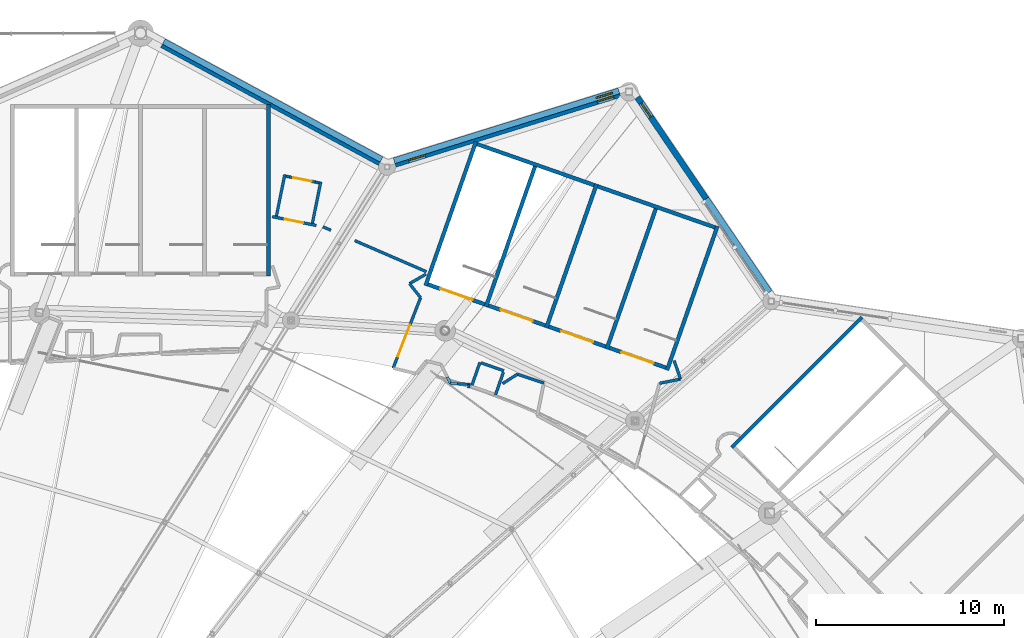
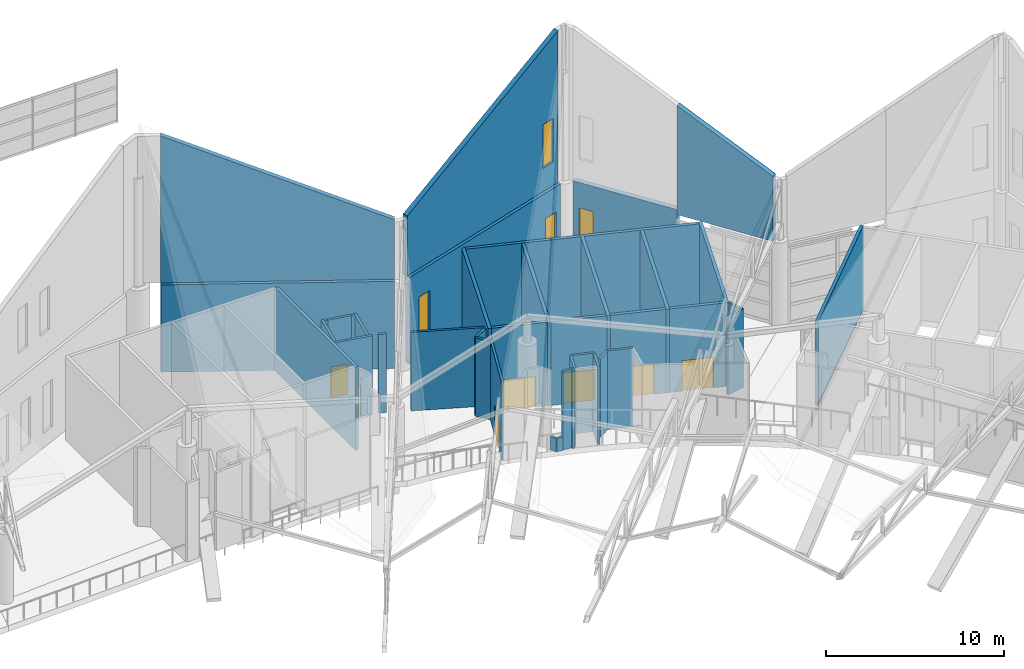
# One storey, part 274 of 344: 41 walls, 7 doors, 4 windows, 11 openings.
"""IFC4 building model written with IfcOpenShell, lengths in metres."""

from ifc_helpers import new_model, si_unit, direction, frame, frame_2d, origin, place, context, subcontext, project, spatial, polyline, rectangle, outline, extrude, material, layer, layer_set, type_object, element, fill, save


model = new_model("IFC4")

# Units and contexts
model_context = context("Model", 3, precision=1e-05, world=origin(), true_north=direction((0.0, 1.0)))
body_context = subcontext(model_context, "Body", "Model", "MODEL_VIEW")
ifc_project = project(units=[si_unit("LENGTHUNIT", "METRE"), si_unit("AREAUNIT", "SQUARE_METRE"), si_unit("VOLUMEUNIT", "CUBIC_METRE"), si_unit("PLANEANGLEUNIT", "RADIAN"), si_unit("MASSUNIT", "GRAM", prefix="KILO")], contexts=[model_context])

# Site, building, storey
site_placement = place(None, origin())
site = spatial("IfcSite", under=ifc_project, at=site_placement, CompositionType="ELEMENT")
building_placement = place(site_placement, origin())
building = spatial("IfcBuilding", under=site, at=building_placement, Name="Meseta Stadium", CompositionType="ELEMENT")
storey_placement = place(building_placement, frame((0.0, 0.0, 24.0)))
storey = spatial("IfcBuildingStorey", under=building, at=storey_placement, Name="L04", CompositionType="ELEMENT", Elevation=24.0)

# Walls
ifc_material_1 = material(Name="Concrete C40/50", Category="concrete")
ifc_layer_1 = layer(ifc_material_1, 0.199951171875)
ifc_layer_set_1 = layer_set([ifc_layer_1], Name="Core divider wall 200")
wall_type_1 = type_object("IfcWallType", Name="Core divider wall 200", PredefinedType="SHEAR", material=ifc_layer_set_1)
for number, where, z_axis, x_axis, name in (
    (1, (65.789306640625, 96.260009765625, 0.0), (0.0, 0.0, 1.0), (-0.330280610426, -0.943882788474, 0.0), "Core 08 L04 stair A divider wall"),
    (2, (59.370849609375, 98.505859375, 0.0), (0.0, 0.0, 1.0), (-0.330280610426, -0.943882788474, 0.0), "Core 08 L04 stair B divider wall"),
):
    element("IfcWall", number, at=place(storey_placement, frame(where, z_axis=z_axis, x_axis=x_axis)), inside=storey, type_object=wall_type_1, Name=name, PredefinedType="SHEAR", context=body_context, shape_type="SweptSolid", body=[
        extrude(rectangle(XDim=8.10009765625, YDim=0.199951171875, at=frame_2d((4.050048828125, 0.0))), origin(), (0.0, 0.0, 1.0), 5.75),
    ])
ifc_material_2 = material(Name="Concrete C40/50", Category="concrete")
ifc_layer_2 = layer(ifc_material_2, 0.199951171875)
ifc_layer_set_2 = layer_set([ifc_layer_2], Name="Core shaft wall 200")
wall_type_2 = type_object("IfcWallType", Name="Core shaft wall 200", PredefinedType="SHEAR", material=ifc_layer_set_2)
wall_1_placement = place(storey_placement, frame((76.6884765625, 90.30517578125, 0.0), z_axis=(0.0, 0.0, 1.0), x_axis=(-0.707106781187, -0.707106781187, 0.0)))
element("IfcWall", 3, at=wall_1_placement, inside=storey, type_object=wall_type_2, Name="Core 07 L04 stair wall B-side", PredefinedType="SHEAR", context=body_context, shape_type="SweptSolid", body=[
    extrude(rectangle(XDim=9.800048828125, YDim=0.199951171875, at=frame_2d((4.89990234375, 0.0))), origin(), (0.0, 0.0, 1.0), 5.75),
])
for number, where, z_axis, x_axis, name in (
    (4, (68.998291015625, 95.136962890625, 0.0), (0.0, 0.0, 1.0), (-0.330263153216, -0.943888896866, 0.0), "Core 08 L04 stair wall A-side"),
    (5, (62.580078125, 97.3828125, 0.0), (0.0, 0.0, 1.0), (-0.330290006891, -0.943879500438, 0.0), "Core 08 L04 stair wall shared"),
):
    element("IfcWall", number, at=place(storey_placement, frame(where, z_axis=z_axis, x_axis=x_axis)), inside=storey, type_object=wall_type_2, Name=name, PredefinedType="SHEAR", context=body_context, shape_type="SweptSolid", body=[
        extrude(rectangle(XDim=8.099853515625, YDim=0.199951171875, at=frame_2d((4.0498046875, 0.0))), origin(), (0.0, 0.0, 1.0), 5.75),
    ])
wall_2_placement = place(storey_placement, frame((56.16162109375, 99.62890625, 0.0), z_axis=(0.0, 0.0, 1.0), x_axis=(-0.330280610426, -0.943882788474, 0.0)))
element("IfcWall", 6, at=wall_2_placement, inside=storey, type_object=wall_type_2, Name="Core 08 L04 stair wall B-side", PredefinedType="SHEAR", context=body_context, shape_type="SweptSolid", body=[
    extrude(rectangle(XDim=8.10009765625, YDim=0.199951171875, at=frame_2d((4.050048828125, 0.0))), origin(), (0.0, 0.0, 1.0), 5.75),
])
for number, where, z_axis, x_axis, name in (
    (7, (68.87109375, 95.07568359375, 0.0), (0.0, 0.0, 1.0), (-0.943880844925, 0.330286164688, 0.0), "Core 08 L04 stair A outer end wall"),
    (8, (62.45263671875, 97.321533203125, 0.0), (0.0, 0.0, 1.0), (-0.943880844925, 0.330286164688, 0.0), "Core 08 L04 stair B outer end wall"),
):
    element("IfcWall", number, at=place(storey_placement, frame(where, z_axis=z_axis, x_axis=x_axis)), inside=storey, type_object=wall_type_2, Name=name, PredefinedType="SHEAR", context=body_context, shape_type="SweptSolid", body=[
        extrude(rectangle(XDim=6.60009765625, YDim=0.199951171875, at=frame_2d((3.300048828125, 0.0))), origin(), (0.0, 0.0, 1.0), 5.75),
    ])

# Wall, opening, door
wall_3_placement = place(storey_placement, frame((66.26171875, 87.618896484375, 0.0), z_axis=(0.0, 0.0, 1.0), x_axis=(-0.943878576031, 0.330292648585, 0.0)))
wall_3 = element("IfcWall", 9, at=wall_3_placement, inside=storey, type_object=wall_type_2, Name="Core 08 L04 stair A1 inner end wall", PredefinedType="SHEAR", context=body_context, shape_type="SweptSolid", body=[
    extrude(rectangle(XDim=3.199951171875, YDim=0.199951171875, at=frame_2d((1.60009765625, 0.0))), origin(), (0.0, 0.0, 1.0), 5.75),
])
opening_1_placement = place(wall_3_placement, frame((0.699951171875, 0.0, 0.0)))
opening_1 = element("IfcOpeningElement", 10, at=opening_1_placement, cuts=wall_3, Name="Opening D1621", PredefinedType="OPENING", context=body_context, shape_type="SweptSolid", body=[
    extrude(rectangle(XDim=1.800048828125, YDim=2.10009765625, at=frame_2d((0.89990234375, 1.050048828125))), frame((0.0, 0.10986328125, 0.0), z_axis=(0.0, -1.0, 0.0), x_axis=(1.0, 0.0, 0.0)), (0.0, 0.0, 1.0), 0.219970703125),
])
ifc_material_3 = material(Name="Steel", Category="steel")
door_type_1 = type_object("IfcDoorType", Name="Stair door 1800x2100", OperationType="DOUBLE_DOOR_SINGLE_SWING", PredefinedType="DOOR", material=ifc_material_3)
door_1_placement = place(opening_1_placement, origin())
door_1 = element("IfcDoor", 11, at=door_1_placement, inside=storey, type_object=door_type_1, Name="Stair A1 door 08 L04", OperationType="DOUBLE_DOOR_SINGLE_SWING", OverallHeight=2.10009765625, OverallWidth=1.800048828125, PredefinedType="DOOR", context=body_context, shape_type="SweptSolid", body=[
    extrude(rectangle(XDim=1.800048828125, YDim=2.10009765625, at=frame_2d((0.89990234375, 1.050048828125))), frame((0.0, 0.02490234375, 0.0), z_axis=(0.0, -1.0, 0.0), x_axis=(1.0, 0.0, 0.0)), (0.0, 0.0, 1.0), 0.050048828125),
])
fill(opening_1, door_1)

wall_4_placement = place(storey_placement, frame((63.052490234375, 88.741943359375, 0.0), z_axis=(0.0, 0.0, 1.0), x_axis=(-0.943878576031, 0.330292648585, 0.0)))
wall_4 = element("IfcWall", 12, at=wall_4_placement, inside=storey, type_object=wall_type_2, Name="Core 08 L04 stair A2 inner end wall", PredefinedType="SHEAR", context=body_context, shape_type="SweptSolid", body=[
    extrude(rectangle(XDim=3.199951171875, YDim=0.199951171875, at=frame_2d((1.60009765625, 0.0))), origin(), (0.0, 0.0, 1.0), 5.75),
])
opening_2_placement = place(wall_4_placement, frame((0.699951171875, 0.0, 0.0)))
opening_2 = element("IfcOpeningElement", 13, at=opening_2_placement, cuts=wall_4, Name="Opening D1618", PredefinedType="OPENING", context=body_context, shape_type="SweptSolid", body=[
    extrude(rectangle(XDim=1.800048828125, YDim=2.10009765625, at=frame_2d((0.89990234375, 1.050048828125))), frame((0.0, 0.10986328125, 0.0), z_axis=(0.0, -1.0, 0.0), x_axis=(1.0, 0.0, 0.0)), (0.0, 0.0, 1.0), 0.219970703125),
])
door_2_placement = place(opening_2_placement, origin())
door_2 = element("IfcDoor", 14, at=door_2_placement, inside=storey, type_object=door_type_1, Name="Stair A2 door 08 L04", OperationType="DOUBLE_DOOR_SINGLE_SWING", OverallHeight=2.10009765625, OverallWidth=1.800048828125, PredefinedType="DOOR", context=body_context, shape_type="SweptSolid", body=[
    extrude(rectangle(XDim=1.800048828125, YDim=2.10009765625, at=frame_2d((0.89990234375, 1.050048828125))), frame((0.0, 0.02490234375, 0.0), z_axis=(0.0, -1.0, 0.0), x_axis=(1.0, 0.0, 0.0)), (0.0, 0.0, 1.0), 0.050048828125),
])
fill(opening_2, door_2)

wall_5_placement = place(storey_placement, frame((59.843505859375, 89.864990234375, 0.0), z_axis=(0.0, 0.0, 1.0), x_axis=(-0.943886898693, 0.330268863922, 0.0)))
wall_5 = element("IfcWall", 15, at=wall_5_placement, inside=storey, type_object=wall_type_2, Name="Core 08 L04 stair B1 inner end wall", PredefinedType="SHEAR", context=body_context, shape_type="SweptSolid", body=[
    extrude(rectangle(XDim=3.2001953125, YDim=0.199951171875, at=frame_2d((1.60009765625, 0.0))), origin(), (0.0, 0.0, 1.0), 5.75),
])
opening_3_placement = place(wall_5_placement, frame((0.699951171875, 0.0, 0.0)))
opening_3 = element("IfcOpeningElement", 16, at=opening_3_placement, cuts=wall_5, Name="Opening D1615", PredefinedType="OPENING", context=body_context, shape_type="SweptSolid", body=[
    extrude(rectangle(XDim=1.800048828125, YDim=2.10009765625, at=frame_2d((0.89990234375, 1.050048828125))), frame((0.0, 0.10986328125, 0.0), z_axis=(0.0, -1.0, 0.0), x_axis=(1.0, 0.0, 0.0)), (0.0, 0.0, 1.0), 0.219970703125),
])
door_3_placement = place(opening_3_placement, origin())
door_3 = element("IfcDoor", 17, at=door_3_placement, inside=storey, type_object=door_type_1, Name="Stair B1 door 08 L04", OperationType="DOUBLE_DOOR_SINGLE_SWING", OverallHeight=2.10009765625, OverallWidth=1.800048828125, PredefinedType="DOOR", context=body_context, shape_type="SweptSolid", body=[
    extrude(rectangle(XDim=1.800048828125, YDim=2.10009765625, at=frame_2d((0.89990234375, 1.050048828125))), frame((0.0, 0.02490234375, 0.0), z_axis=(0.0, -1.0, 0.0), x_axis=(1.0, 0.0, 0.0)), (0.0, 0.0, 1.0), 0.050048828125),
])
fill(opening_3, door_3)

wall_6_placement = place(storey_placement, frame((56.63427734375, 90.98779296875, 0.0), z_axis=(0.0, 0.0, 1.0), x_axis=(-0.943886898693, 0.330268863922, 0.0)))
wall_6 = element("IfcWall", 18, at=wall_6_placement, inside=storey, type_object=wall_type_2, Name="Core 08 L04 stair B2 inner end wall", PredefinedType="SHEAR", context=body_context, shape_type="SweptSolid", body=[
    extrude(rectangle(XDim=3.2001953125, YDim=0.199951171875, at=frame_2d((1.60009765625, 0.0))), origin(), (0.0, 0.0, 1.0), 5.75),
])
opening_4_placement = place(wall_6_placement, frame((0.699951171875, 0.0, 0.0)))
opening_4 = element("IfcOpeningElement", 19, at=opening_4_placement, cuts=wall_6, Name="Opening D1611", PredefinedType="OPENING", context=body_context, shape_type="SweptSolid", body=[
    extrude(rectangle(XDim=1.800048828125, YDim=2.10009765625, at=frame_2d((0.89990234375, 1.050048828125))), frame((0.0, 0.10986328125, 0.0), z_axis=(0.0, -1.0, 0.0), x_axis=(1.0, 0.0, 0.0)), (0.0, 0.0, 1.0), 0.219970703125),
])
door_4_placement = place(opening_4_placement, origin())
door_4 = element("IfcDoor", 20, at=door_4_placement, inside=storey, type_object=door_type_1, Name="Stair B2 door 08 L04", OperationType="DOUBLE_DOOR_SINGLE_SWING", OverallHeight=2.10009765625, OverallWidth=1.800048828125, PredefinedType="DOOR", context=body_context, shape_type="SweptSolid", body=[
    extrude(rectangle(XDim=1.800048828125, YDim=2.10009765625, at=frame_2d((0.89990234375, 1.050048828125))), frame((0.0, 0.02490234375, 0.0), z_axis=(0.0, -1.0, 0.0), x_axis=(1.0, 0.0, 0.0)), (0.0, 0.0, 1.0), 0.050048828125),
])
fill(opening_4, door_4)

# Walls
wall_7_placement = place(storey_placement, frame((45.13330078125, 101.60009765625, 0.0), z_axis=(0.0, 0.0, 1.0), x_axis=(0.0, -1.0, 0.0)))
element("IfcWall", 21, at=wall_7_placement, inside=storey, type_object=wall_type_2, Name="Core 09 L04 stair wall A-side", PredefinedType="SHEAR", context=body_context, shape_type="SweptSolid", body=[
    extrude(rectangle(XDim=9.10009765625, YDim=0.199951171875, at=frame_2d((4.550048828125, 0.0))), origin(), (0.0, 0.0, 1.0), 5.75),
])
ifc_material_4 = material(Name="Masonry blockwork", Category="masonry")
ifc_layer_3 = layer(ifc_material_4, 0.14990234375)
ifc_layer_set_3 = layer_set([ifc_layer_3], Name="Partition 150")
wall_type_3 = type_object("IfcWallType", Name="Partition 150", PredefinedType="PARTITIONING", material=ifc_layer_set_3)
wall_8_placement = place(storey_placement, frame((53.532470703125, 92.720703125, 0.0), z_axis=(0.0, 0.0, 1.0), x_axis=(-0.917464834383, 0.397816889625, 0.0)))
element("IfcWall", 22, at=wall_8_placement, inside=storey, type_object=wall_type_3, Name="Partition L04 L04-cell07-1-0", PredefinedType="PARTITIONING", context=body_context, shape_type="SweptSolid", body=[
    extrude(rectangle(XDim=4.154052734375, YDim=0.14990234375, at=frame_2d((2.0771484375, 0.0))), origin(), (0.0, 0.0, 1.0), 5.39990234375),
])
wall_9_placement = place(storey_placement, frame((48.45068359375, 94.924072265625, 0.0), z_axis=(0.0, 0.0, 1.0), x_axis=(-0.917523466951, 0.397681641007, 0.0)))
element("IfcWall", 23, at=wall_9_placement, inside=storey, type_object=wall_type_3, Name="Partition L04 L04-cell07-1-0", PredefinedType="PARTITIONING", context=body_context, shape_type="SweptSolid", body=[
    extrude(rectangle(XDim=0.461669921875, YDim=0.14990234375, at=frame_2d((0.23095703125, 0.0))), origin(), (0.0, 0.0, 1.0), 5.39990234375),
])

# Wall, opening, door
wall_10_placement = place(storey_placement, frame((47.675537109375, 95.178466796875, 0.0), z_axis=(0.0, 0.0, 1.0), x_axis=(-0.980379720277, 0.197118248949, 0.0)))
wall_10 = element("IfcWall", 24, at=wall_10_placement, inside=storey, type_object=wall_type_3, Name="Partition L04 L04-cell07-1-0", PredefinedType="PARTITIONING", context=body_context, shape_type="SweptSolid", body=[
    extrude(rectangle(XDim=2.38916015625, YDim=0.14990234375, at=frame_2d((1.194580078125, 0.0))), origin(), (0.0, 0.0, 1.0), 5.39990234375),
])
opening_5_placement = place(wall_10_placement, frame((0.699951171875, 0.0, 0.0)))
opening_5 = element("IfcOpeningElement", 25, at=opening_5_placement, cuts=wall_10, Name="Opening D1606", PredefinedType="OPENING", context=body_context, shape_type="SweptSolid", body=[
    extrude(rectangle(XDim=1.0, YDim=2.10009765625, at=frame_2d((0.5, 1.050048828125))), frame((0.0, 0.0849609375, 0.0), z_axis=(0.0, -1.0, 0.0), x_axis=(1.0, 0.0, 0.0)), (0.0, 0.0, 1.0), 0.169921875),
])
ifc_material_5 = material(Name="Steel", Category="steel")
door_type_2 = type_object("IfcDoorType", Name="Fire door 1000x2100 EI2 60", OperationType="NOTDEFINED", PredefinedType="DOOR", material=ifc_material_5)
door_5_placement = place(opening_5_placement, origin())
door_5 = element("IfcDoor", 26, at=door_5_placement, inside=storey, type_object=door_type_2, Name="Room door L04 L04-cell07-1-0", OperationType="SINGLE_SWING_RIGHT", OverallHeight=2.10009765625, OverallWidth=1.0, PredefinedType="DOOR", context=body_context, shape_type="SweptSolid", body=[
    extrude(rectangle(XDim=1.0, YDim=2.10009765625, at=frame_2d((0.5, 1.050048828125))), frame((0.0, 0.02490234375, 0.0), z_axis=(0.0, -1.0, 0.0), x_axis=(1.0, 0.0, 0.0)), (0.0, 0.0, 1.0), 0.050048828125),
])
fill(opening_5, door_5)

# Walls
for number, where, z_axis, x_axis, name in (
    (27, (57.6484375, 87.45263671875, 0.0), (0.0, 0.0, 1.0), (-0.943867312246, 0.330324835387, 0.0), "Pressurisation shaft wall L04 core 08"),
    (28, (56.374267578125, 87.898681640625, 0.0), (0.0, 0.0, 1.0), (-0.330324835387, -0.943867312246, 0.0), "Pressurisation shaft wall L04 core 08"),
):
    element("IfcWall", number, at=place(storey_placement, frame(where, z_axis=z_axis, x_axis=x_axis)), inside=storey, type_object=wall_type_3, Name=name, PredefinedType="PARTITIONING", context=body_context, shape_type="SweptSolid", body=[
        extrude(rectangle(XDim=1.27490234375, YDim=0.14990234375, at=frame_2d((0.637451171875, 0.0))), origin(), (0.0, 0.0, 1.0), 5.39990234375),
    ])
wall_11_placement = place(storey_placement, frame((57.20263671875, 86.178466796875, 0.0), z_axis=(0.0, 0.0, 1.0), x_axis=(0.330265141396, 0.943888201207, 0.0)))
element("IfcWall", 29, at=wall_11_placement, inside=storey, type_object=wall_type_3, Name="Pressurisation shaft wall L04 core 08", PredefinedType="PARTITIONING", context=body_context, shape_type="SweptSolid", body=[
    extrude(rectangle(XDim=1.275146484375, YDim=0.14990234375, at=frame_2d((0.6376953125, 0.0))), origin(), (0.0, 0.0, 1.0), 5.39990234375),
])
wall_12_placement = place(storey_placement, frame((55.7841796875, 86.7158203125, 0.0), z_axis=(0.0, 0.0, 1.0), x_axis=(0.0, -1.0, 0.0)))
element("IfcWall", 30, at=wall_12_placement, inside=storey, type_object=wall_type_3, Name="Stair vestibule wall L04 core 08", PredefinedType="PARTITIONING", context=body_context, shape_type="SweptSolid", body=[
    extrude(rectangle(XDim=0.17822265625, YDim=0.14990234375, at=frame_2d((0.089111328125, 0.0))), origin(), (0.0, 0.0, 1.0), 5.39990234375),
])
wall_13_placement = place(storey_placement, frame((57.578125, 86.769775390625, 0.0), z_axis=(0.0, 0.0, 1.0), x_axis=(0.843629242082, 0.53692616057, 0.0)))
element("IfcWall", 31, at=wall_13_placement, inside=storey, type_object=wall_type_3, Name="Stair vestibule wall L04 core 08", PredefinedType="PARTITIONING", context=body_context, shape_type="SweptSolid", body=[
    extrude(rectangle(XDim=0.935302734375, YDim=0.14990234375, at=frame_2d((0.4677734375, 0.0))), origin(), (0.0, 0.0, 1.0), 5.39990234375),
])
wall_14_placement = place(storey_placement, frame((58.3671875, 87.27197265625, 0.0), z_axis=(0.0, 0.0, 1.0), x_axis=(0.94869979015, -0.316178285417, 0.0)))
element("IfcWall", 32, at=wall_14_placement, inside=storey, type_object=wall_type_3, Name="Stair vestibule wall L04 core 08", PredefinedType="PARTITIONING", context=body_context, shape_type="SweptSolid", body=[
    extrude(rectangle(XDim=1.480224609375, YDim=0.14990234375, at=frame_2d((0.740234375, 0.0))), origin(), (0.0, 0.0, 1.0), 5.39990234375),
])
wall_15_placement = place(storey_placement, frame((65.919189453125, 86.788818359375, 0.0), z_axis=(0.0, 0.0, 1.0), x_axis=(0.980275107334, 0.197637835299, 0.0)))
element("IfcWall", 33, at=wall_15_placement, inside=storey, type_object=wall_type_3, Name="Stair vestibule wall L04 core 08", PredefinedType="PARTITIONING", context=body_context, shape_type="SweptSolid", body=[
    extrude(rectangle(XDim=1.141357421875, YDim=0.14990234375, at=frame_2d((0.57080078125, 0.0))), origin(), (0.0, 0.0, 1.0), 5.39990234375),
])
wall_16_placement = place(storey_placement, frame((67.0380859375, 87.014404296875, 0.0), z_axis=(0.0, 0.0, 1.0), x_axis=(-0.328920401707, 0.944357649061, 0.0)))
element("IfcWall", 34, at=wall_16_placement, inside=storey, type_object=wall_type_3, Name="Stair vestibule wall L04 core 08", PredefinedType="PARTITIONING", context=body_context, shape_type="SweptSolid", body=[
    extrude(rectangle(XDim=1.042236328125, YDim=0.14990234375, at=frame_2d((0.52099609375, 0.0))), origin(), (0.0, 0.0, 1.0), 5.39990234375),
])
wall_17_placement = place(storey_placement, frame((53.5068359375, 92.58935546875, 0.0), z_axis=(0.0, 0.0, 1.0), x_axis=(-0.866378587107, -0.499387768976, 0.0)))
element("IfcWall", 35, at=wall_17_placement, inside=storey, type_object=wall_type_3, Name="Stair vestibule wall L04 core 08", PredefinedType="PARTITIONING", context=body_context, shape_type="SweptSolid", body=[
    extrude(rectangle(XDim=1.010498046875, YDim=0.14990234375, at=frame_2d((0.50537109375, 0.0))), origin(), (0.0, 0.0, 1.0), 5.39990234375),
])
wall_18_placement = place(storey_placement, frame((52.63134765625, 92.084716796875, 0.0), z_axis=(0.0, 0.0, 1.0), x_axis=(0.621956526633, -0.78305177286, 0.0)))
element("IfcWall", 36, at=wall_18_placement, inside=storey, type_object=wall_type_3, Name="Stair vestibule wall L04 core 08", PredefinedType="PARTITIONING", context=body_context, shape_type="SweptSolid", body=[
    extrude(rectangle(XDim=0.947265625, YDim=0.14990234375, at=frame_2d((0.4736328125, 0.0))), origin(), (0.0, 0.0, 1.0), 5.39990234375),
])

# Wall, opening, door
wall_19_placement = place(storey_placement, frame((53.220458984375, 91.343017578125, 0.0), z_axis=(0.0, 0.0, 1.0), x_axis=(-0.362484224623, -0.93198990708, 0.0)))
wall_19 = element("IfcWall", 37, at=wall_19_placement, inside=storey, type_object=wall_type_3, Name="Stair vestibule wall L04 core 08", PredefinedType="PARTITIONING", context=body_context, shape_type="SweptSolid", body=[
    extrude(rectangle(XDim=4.034423828125, YDim=0.14990234375, at=frame_2d((2.01708984375, 0.0))), origin(), (0.0, 0.0, 1.0), 5.39990234375),
])
opening_6_placement = place(wall_19_placement, frame((1.550048828125, 0.0, 0.0)))
opening_6 = element("IfcOpeningElement", 38, at=opening_6_placement, cuts=wall_19, Name="Opening D1609", PredefinedType="OPENING", context=body_context, shape_type="SweptSolid", body=[
    extrude(rectangle(XDim=1.800048828125, YDim=2.10009765625, at=frame_2d((0.89990234375, 1.050048828125))), frame((0.0, 0.0849609375, 0.0), z_axis=(0.0, -1.0, 0.0), x_axis=(1.0, 0.0, 0.0)), (0.0, 0.0, 1.0), 0.169921875),
])
ifc_material_6 = material(Name="Steel", Category="steel")
door_type_3 = type_object("IfcDoorType", Name="Fire double door 1800x2100 EI2 60", OperationType="DOUBLE_DOOR_SINGLE_SWING", PredefinedType="DOOR", material=ifc_material_6)
door_6_placement = place(opening_6_placement, origin())
door_6 = element("IfcDoor", 39, at=door_6_placement, inside=storey, type_object=door_type_3, Name="Stair vestibule door L04 core 08", OperationType="DOUBLE_DOOR_SINGLE_SWING", OverallHeight=2.10009765625, OverallWidth=1.800048828125, PredefinedType="DOOR", context=body_context, shape_type="SweptSolid", body=[
    extrude(rectangle(XDim=1.800048828125, YDim=2.10009765625, at=frame_2d((0.89990234375, 1.050048828125))), frame((0.0, 0.02490234375, 0.0), z_axis=(0.0, -1.0, 0.0), x_axis=(1.0, 0.0, 0.0)), (0.0, 0.0, 1.0), 0.050048828125),
])
fill(opening_6, door_6)

# Walls
wall_20_placement = place(storey_placement, frame((54.643310546875, 87.117431640625, 0.0), z_axis=(0.0, 0.0, 1.0), x_axis=(0.448513161251, -0.893776227131, 0.0)))
element("IfcWall", 40, at=wall_20_placement, inside=storey, type_object=wall_type_3, Name="Stair vestibule wall L04 core 08", PredefinedType="PARTITIONING", context=body_context, shape_type="SweptSolid", body=[
    extrude(rectangle(XDim=0.37548828125, YDim=0.14990234375, at=frame_2d((0.187744140625, 0.0))), origin(), (0.0, 0.0, 1.0), 0.918212890625),
])
wall_21_placement = place(storey_placement, frame((54.811767578125, 86.78173828125, 0.0), z_axis=(0.0, 0.0, 1.0), x_axis=(0.9987506543, -0.049971297105, 0.0)))
element("IfcWall", 41, at=wall_21_placement, inside=storey, type_object=wall_type_3, Name="Stair vestibule wall L04 core 08", PredefinedType="PARTITIONING", context=body_context, shape_type="SweptSolid", body=[
    extrude(rectangle(XDim=0.361572265625, YDim=0.14990234375, at=frame_2d((0.1806640625, 0.0))), origin(), (0.0, 0.0, 1.0), 0.918212890625),
])
wall_22_placement = place(storey_placement, frame((55.1728515625, 86.763671875, 0.0), z_axis=(0.0, 0.0, 1.0), x_axis=(0.998772838371, -0.04952592587, 0.0)))
element("IfcWall", 42, at=wall_22_placement, inside=storey, type_object=wall_type_3, Name="Stair vestibule wall L04 core 08", PredefinedType="PARTITIONING", context=body_context, shape_type="SweptSolid", body=[
    extrude(rectangle(XDim=0.7099609375, YDim=0.14990234375, at=frame_2d((0.35498046875, 0.0))), origin(), (0.0, 0.0, 1.0), 5.39990234375),
])
for number, where, z_axis, x_axis, name in (
    (43, (47.4697265625, 95.29638671875, 0.0), (0.0, 0.0, 1.0), (0.197159372057, 0.980371451038, 0.0), "Partition L04 L04-cell07-1-0 vestibule"),
    (44, (45.55810546875, 95.6806640625, 0.0), (0.0, 0.0, 1.0), (0.197055078436, 0.980392419423, 0.0), "Partition L04 L04-cell07-1-0 vestibule"),
):
    element("IfcWall", number, at=place(storey_placement, frame(where, z_axis=z_axis, x_axis=x_axis)), inside=storey, type_object=wall_type_3, Name=name, PredefinedType="PARTITIONING", context=body_context, shape_type="SweptSolid", body=[
        extrude(rectangle(XDim=2.25, YDim=0.14990234375, at=frame_2d((1.125, 0.0))), origin(), (0.0, 0.0, 1.0), 5.39990234375),
    ])
wall_23_placement = place(storey_placement, frame((47.824951171875, 97.443359375, 0.0), z_axis=(0.0, 0.0, 1.0), x_axis=(-0.980250639168, 0.197759157591, 0.0)))
element("IfcWall", 45, at=wall_23_placement, inside=storey, type_object=wall_type_3, Name="Partition L04 L04-cell07-1-0 vestibule", PredefinedType="PARTITIONING", context=body_context, shape_type="SweptSolid", body=[
    extrude(rectangle(XDim=0.199951171875, YDim=0.14990234375, at=frame_2d((0.10009765625, 0.0))), origin(), (0.0, 0.0, 1.0), 5.39990234375),
])

# Wall, opening, door
wall_24_placement = place(storey_placement, frame((47.62890625, 97.48291015625, 0.0), z_axis=(0.0, 0.0, 1.0), x_axis=(-0.980392426881, 0.197055041333, 0.0)))
wall_24 = element("IfcWall", 46, at=wall_24_placement, inside=storey, type_object=wall_type_3, Name="Partition L04 L04-cell07-1-0 vestibule", PredefinedType="PARTITIONING", context=body_context, shape_type="SweptSolid", body=[
    extrude(rectangle(XDim=1.39990234375, YDim=0.14990234375, at=frame_2d((0.699951171875, 0.0))), origin(), (0.0, 0.0, 1.0), 5.39990234375),
])
opening_7_placement = place(wall_24_placement, frame((0.199951171875, 0.0, 0.0)))
opening_7 = element("IfcOpeningElement", 47, at=opening_7_placement, cuts=wall_24, Name="Opening D1607", PredefinedType="OPENING", context=body_context, shape_type="SweptSolid", body=[
    extrude(rectangle(XDim=1.0, YDim=2.10009765625, at=frame_2d((0.5, 1.050048828125))), frame((0.0, 0.0849609375, 0.0), z_axis=(0.0, -1.0, 0.0), x_axis=(1.0, 0.0, 0.0)), (0.0, 0.0, 1.0), 0.169921875),
])
door_7_placement = place(opening_7_placement, origin())
door_7 = element("IfcDoor", 48, at=door_7_placement, inside=storey, type_object=door_type_2, Name="Vestibule door L04 L04-cell07-1-0", OperationType="SINGLE_SWING_LEFT", OverallHeight=2.10009765625, OverallWidth=1.0, PredefinedType="DOOR", context=body_context, shape_type="SweptSolid", body=[
    extrude(rectangle(XDim=1.0, YDim=2.10009765625, at=frame_2d((0.5, 1.050048828125))), frame((0.0, 0.02490234375, 0.0), z_axis=(0.0, -1.0, 0.0), x_axis=(1.0, 0.0, 0.0)), (0.0, 0.0, 1.0), 0.050048828125),
])
fill(opening_7, door_7)

# Walls
wall_25_placement = place(storey_placement, frame((46.25634765625, 97.7587890625, 0.0), z_axis=(0.0, 0.0, 1.0), x_axis=(-0.980486637891, 0.196585739353, 0.0)))
element("IfcWall", 49, at=wall_25_placement, inside=storey, type_object=wall_type_3, Name="Partition L04 L04-cell07-1-0 vestibule", PredefinedType="PARTITIONING", context=body_context, shape_type="SweptSolid", body=[
    extrude(rectangle(XDim=0.199951171875, YDim=0.14990234375, at=frame_2d((0.10009765625, 0.0))), origin(), (0.0, 0.0, 1.0), 5.39990234375),
])
ifc_material_7 = material(Name="White precast concrete C40/50", Category="concrete")
ifc_layer_4 = layer(ifc_material_7, 0.320068359375)
ifc_layer_set_4 = layer_set([ifc_layer_4], Name="Pleated fascia panel 320 raked")
wall_type_4 = type_object("IfcWallType", Name="Pleated fascia panel 320 raked", PredefinedType="SOLIDWALL", material=ifc_layer_set_4)
wall_26_placement = place(storey_placement, frame((68.400634765625, 96.600341796875, 5.64990234375), z_axis=(0.0, 0.0, 1.0), x_axis=(0.561498433341, -0.827477799917, 0.0)))
element("IfcWall", 50, at=wall_26_placement, inside=storey, type_object=wall_type_4, Name="Pleated facade panel above atrium F13", PredefinedType="SOLIDWALL", context=body_context, shape_type="SweptSolid", body=[
    extrude(outline(polyline([(0.0, 0.0), (6.000244140625, 0.0), (6.0, 4.46728515625), (0.0, 7.497802734375), (0.0, 0.0)])), frame((0.0, 0.16015625, 0.0), z_axis=(0.0, -1.0, 0.0), x_axis=(1.0, 0.0, 0.0)), (0.0, 0.0, 1.0), 0.320068359375),
])

# Wall, opening, window
wall_27_placement = place(storey_placement, frame((51.811767578125, 98.618896484375, 6.0), z_axis=(0.0, 0.0, 1.0), x_axis=(0.954916036354, 0.29687600697, 0.0)))
wall_27 = element("IfcWall", 51, at=wall_27_placement, inside=storey, type_object=wall_type_4, Name="Pleated fascia panel L04 F14", PredefinedType="SOLIDWALL", context=body_context, shape_type="SweptSolid", body=[
    extrude(outline(polyline([(0.0, 0.0), (12.51318359375, 0.0), (12.51318359375, 10.4375), (0.0, 4.1171875), (0.0, 0.0)])), frame((0.0, 0.16015625, 0.0), z_axis=(0.0, -1.0, 0.0), x_axis=(1.0, 0.0, 0.0)), (0.0, 0.0, 1.0), 0.320068359375),
])
opening_8_placement = place(wall_27_placement, frame((11.250244140625, 0.0, 1.60009765625)))
opening_8 = element("IfcOpeningElement", 52, at=opening_8_placement, cuts=wall_27, Name="Opening W282", PredefinedType="OPENING", context=body_context, shape_type="SweptSolid", body=[
    extrude(rectangle(XDim=0.89990234375, YDim=3.0, at=frame_2d((0.449951171875, 1.5))), frame((0.0, 0.169921875, 0.0), z_axis=(0.0, -1.0, 0.0), x_axis=(1.0, 0.0, 0.0)), (0.0, 0.0, 1.0), 0.340087890625),
])
ifc_material_8 = material(Name="Aluminium", Category="aluminium")
window_type_1 = type_object("IfcWindowType", Name="Slot window 900x3000", PartitioningType="SINGLE_PANEL", PredefinedType="WINDOW", material=ifc_material_8)
window_1_placement = place(opening_8_placement, origin())
window_1 = element("IfcWindow", 53, at=window_1_placement, inside=storey, type_object=window_type_1, Name="Slot window L04 F14.6", OverallHeight=3.0, OverallWidth=0.89990234375, PartitioningType="SINGLE_PANEL", PredefinedType="WINDOW", context=body_context, shape_type="SweptSolid", body=[
    extrude(rectangle(XDim=0.89990234375, YDim=3.0, at=frame_2d((0.449951171875, 1.5))), frame((0.0, 0.030029296875, 0.0), z_axis=(0.0, -1.0, 0.0), x_axis=(1.0, 0.0, 0.0)), (0.0, 0.0, 1.0), 0.06005859375),
])
fill(opening_8, window_1)

# Wall
wall_28_placement = place(storey_placement, frame((39.5712890625, 104.95654296875, 6.0), z_axis=(0.0, 0.0, 1.0), x_axis=(0.879137513539, -0.476568182204, 0.0)))
element("IfcWall", 54, at=wall_28_placement, inside=storey, type_object=wall_type_4, Name="Pleated fascia panel L04 F15", PredefinedType="SOLIDWALL", context=body_context, shape_type="SweptSolid", body=[
    extrude(outline(polyline([(0.0, 0.0), (13.16064453125, 0.0), (13.16064453125, 4.09521484375), (0.0, 10.09716796875), (0.0, 0.0)])), frame((0.0, 0.16015625, 0.0), z_axis=(0.0, -1.0, 0.0), x_axis=(1.0, 0.0, 0.0)), (0.0, 0.0, 1.0), 0.320068359375),
])

# Wall, opening, window
ifc_material_9 = material(Name="White precast concrete C40/50", Category="concrete")
ifc_layer_5 = layer(ifc_material_9, 0.320068359375)
ifc_layer_set_5 = layer_set([ifc_layer_5], Name="Pleated panel wall 320")
wall_type_5 = type_object("IfcWallType", Name="Pleated panel wall 320", PredefinedType="SOLIDWALL", material=ifc_layer_set_5)
wall_29_placement = place(storey_placement, frame((64.74365234375, 101.98974609375, 0.0), z_axis=(0.0, 0.0, 1.0), x_axis=(0.561489501614, -0.827483860614, 0.0)))
wall_29 = element("IfcWall", 55, at=wall_29_placement, inside=storey, type_object=wall_type_5, Name="Pleated facade panel L04 F13", PredefinedType="SOLIDWALL", context=body_context, shape_type="SweptSolid", body=[
    extrude(rectangle(XDim=6.512939453125, YDim=0.320068359375, at=frame_2d((3.25634765625, 0.0))), origin(), (0.0, 0.0, 1.0), 6.0),
])
opening_9_placement = place(wall_29_placement, frame((0.363037109375, 0.0, 1.0)))
opening_9 = element("IfcOpeningElement", 56, at=opening_9_placement, cuts=wall_29, Name="Opening W285", PredefinedType="OPENING", context=body_context, shape_type="SweptSolid", body=[
    extrude(rectangle(XDim=0.89990234375, YDim=3.25, at=frame_2d((0.449951171875, 1.625))), frame((0.0, 0.169921875, 0.0), z_axis=(0.0, -1.0, 0.0), x_axis=(1.0, 0.0, 0.0)), (0.0, 0.0, 1.0), 0.340087890625),
])
ifc_material_10 = material(Name="Aluminium", Category="aluminium")
window_type_2 = type_object("IfcWindowType", Name="Slot window 900x3250", PartitioningType="SINGLE_PANEL", PredefinedType="WINDOW", material=ifc_material_10)
window_2_placement = place(opening_9_placement, origin())
window_2 = element("IfcWindow", 57, at=window_2_placement, inside=storey, type_object=window_type_2, Name="Slot window L04 F13.6", OverallHeight=3.25, OverallWidth=0.89990234375, PartitioningType="SINGLE_PANEL", PredefinedType="WINDOW", context=body_context, shape_type="SweptSolid", body=[
    extrude(rectangle(XDim=0.89990234375, YDim=3.25, at=frame_2d((0.449951171875, 1.625))), frame((0.0, 0.030029296875, 0.0), z_axis=(0.0, -1.0, 0.0), x_axis=(1.0, 0.0, 0.0)), (0.0, 0.0, 1.0), 0.06005859375),
])
fill(opening_9, window_2)

# Wall, openings, windows
wall_30_placement = place(storey_placement, frame((51.87109375, 98.427978515625, 0.0), z_axis=(0.0, 0.0, 1.0), x_axis=(0.954916036354, 0.29687600697, 0.0)))
wall_30 = element("IfcWall", 58, at=wall_30_placement, inside=storey, type_object=wall_type_5, Name="Pleated facade panel L04 F14", PredefinedType="SOLIDWALL", context=body_context, shape_type="SweptSolid", body=[
    extrude(rectangle(XDim=12.51318359375, YDim=0.320068359375, at=frame_2d((6.256591796875, 0.0))), origin(), (0.0, 0.0, 1.0), 6.0),
])
opening_10_placement = place(wall_30_placement, frame((0.750244140625, 0.0, 1.0)))
opening_10 = element("IfcOpeningElement", 59, at=opening_10_placement, cuts=wall_30, Name="Opening W280", PredefinedType="OPENING", context=body_context, shape_type="SweptSolid", body=[
    extrude(rectangle(XDim=0.89990234375, YDim=3.25, at=frame_2d((0.449951171875, 1.625))), frame((0.0, 0.169921875, 0.0), z_axis=(0.0, -1.0, 0.0), x_axis=(1.0, 0.0, 0.0)), (0.0, 0.0, 1.0), 0.340087890625),
])
opening_11_placement = place(wall_30_placement, frame((11.250244140625, 0.0, 1.0)))
opening_11 = element("IfcOpeningElement", 60, at=opening_11_placement, cuts=wall_30, Name="Opening W283", PredefinedType="OPENING", context=body_context, shape_type="SweptSolid", body=[
    extrude(rectangle(XDim=0.89990234375, YDim=3.25, at=frame_2d((0.449951171875, 1.625))), frame((0.0, 0.169921875, 0.0), z_axis=(0.0, -1.0, 0.0), x_axis=(1.0, 0.0, 0.0)), (0.0, 0.0, 1.0), 0.340087890625),
])
window_3_placement = place(opening_10_placement, origin())
window_3 = element("IfcWindow", 61, at=window_3_placement, inside=storey, type_object=window_type_2, Name="Slot window L04 F14.1", OverallHeight=3.25, OverallWidth=0.89990234375, PartitioningType="SINGLE_PANEL", PredefinedType="WINDOW", context=body_context, shape_type="SweptSolid", body=[
    extrude(rectangle(XDim=0.89990234375, YDim=3.25, at=frame_2d((0.449951171875, 1.625))), frame((0.0, 0.030029296875, 0.0), z_axis=(0.0, -1.0, 0.0), x_axis=(1.0, 0.0, 0.0)), (0.0, 0.0, 1.0), 0.06005859375),
])
fill(opening_10, window_3)
window_4_placement = place(opening_11_placement, origin())
window_4 = element("IfcWindow", 62, at=window_4_placement, inside=storey, type_object=window_type_2, Name="Slot window L04 F14.6", OverallHeight=3.25, OverallWidth=0.89990234375, PartitioningType="SINGLE_PANEL", PredefinedType="WINDOW", context=body_context, shape_type="SweptSolid", body=[
    extrude(rectangle(XDim=0.89990234375, YDim=3.25, at=frame_2d((0.449951171875, 1.625))), frame((0.0, 0.030029296875, 0.0), z_axis=(0.0, -1.0, 0.0), x_axis=(1.0, 0.0, 0.0)), (0.0, 0.0, 1.0), 0.06005859375),
])
fill(opening_11, window_4)

# Wall
wall_31_placement = place(storey_placement, frame((39.475830078125, 104.780517578125, 0.0), z_axis=(0.0, 0.0, 1.0), x_axis=(0.87914528567, -0.476553844476, 0.0)))
element("IfcWall", 63, at=wall_31_placement, inside=storey, type_object=wall_type_5, Name="Pleated facade panel L04 F15", PredefinedType="SOLIDWALL", context=body_context, shape_type="SweptSolid", body=[
    extrude(rectangle(XDim=13.16064453125, YDim=0.320068359375, at=frame_2d((6.580322265625, 0.0))), origin(), (0.0, 0.0, 1.0), 6.0),
])

save(model, "model.ifc")
